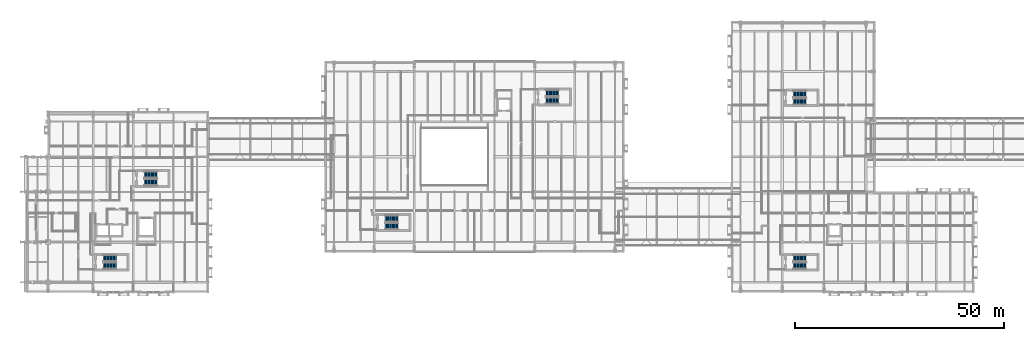
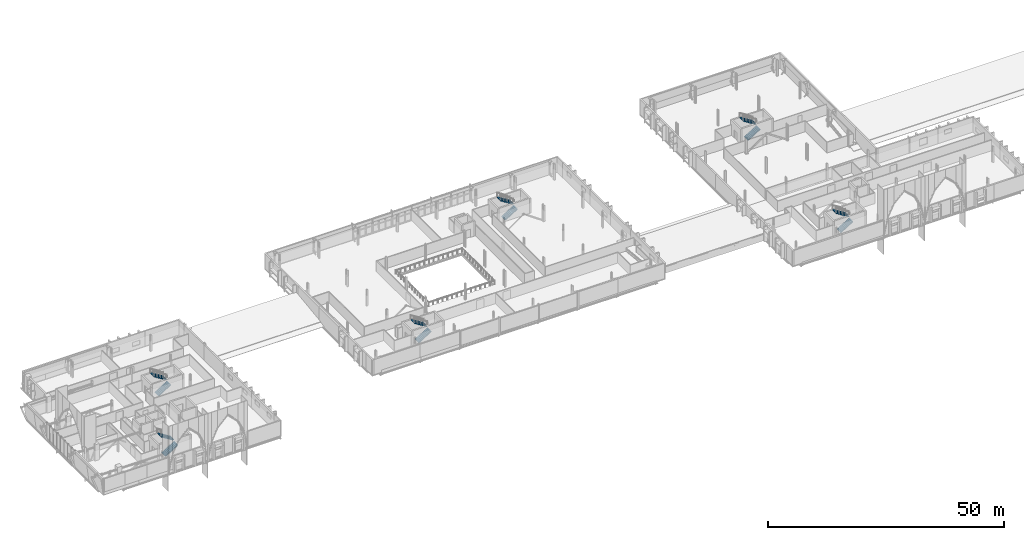
# One storey, part 70 of 90: 12 stair flights, 6 elements without a shape of their own.
"""IFC4 building model written with IfcOpenShell, lengths in metres."""

from ifc_helpers import new_model, si_unit, direction, frame, origin, place, context, subcontext, project, spatial, polyline, outline, extrude, material, type_object, element, aggregate, save


model = new_model("IFC4")

# Units and contexts
model_context = context("Model", 3, precision=1e-05, world=origin(), true_north=direction((0.0, 1.0)))
body_context = subcontext(model_context, "Body", "Model", "MODEL_VIEW")
ifc_project = project(units=[si_unit("LENGTHUNIT", "METRE"), si_unit("AREAUNIT", "SQUARE_METRE"), si_unit("VOLUMEUNIT", "CUBIC_METRE"), si_unit("PLANEANGLEUNIT", "RADIAN"), si_unit("MASSUNIT", "GRAM", prefix="KILO")], contexts=[model_context])

# Site, building, storey
site_placement = place(None, origin())
site = spatial("IfcSite", under=ifc_project, at=site_placement, CompositionType="ELEMENT")
building_placement = place(site_placement, origin())
building = spatial("IfcBuilding", under=site, at=building_placement, Name="Zereglee Splitstone Museum", CompositionType="ELEMENT")
storey_placement = place(building_placement, frame((0.0, 0.0, 4.800048828125)))
storey = spatial("IfcBuildingStorey", under=building, at=storey_placement, Name="L01", CompositionType="ELEMENT", Elevation=4.800048828125)

# Stair, stair flights
ifc_material = material(Name="Concrete C35/45", Category="concrete")
stair_type_1 = type_object("IfcStairType", Name="ST-01B", PredefinedType="HALF_TURN_STAIR", material=ifc_material)
stair_1_placement = place(storey_placement, origin())
stair_1 = element("IfcStair", 1, at=stair_1_placement, inside=storey, type_object=stair_type_1, Name="L01 Protected Exit Stair ST-01 B", PredefinedType="HALF_TURN_STAIR")
stair_flight_type_1 = type_object("IfcStairFlightType", Name="ST-01B", PredefinedType="STRAIGHT", material=ifc_material)
stair_flight_1_placement = place(storey_placement, frame((22.85009765625, 3.89990234375, 0.0), z_axis=(0.0, 0.0, 1.0), x_axis=(1.0, 0.0, 0.0)))
stair_flight_1 = element("IfcStairFlight", 2, at=stair_flight_1_placement, type_object=stair_flight_type_1, Name="ST-01B flight 1", NumberOfRisers=12, NumberOfTreads=11, PredefinedType="STRAIGHT", RiserHeight=0.175, TreadLength=0.28, context=body_context, shape_type="SweptSolid", body=[
    extrude(outline(polyline([(0.0, 0.0), (0.0, 0.175048828125), (0.280029296875, 0.175048828125), (0.280029296875, 0.35009765625), (0.56005859375, 0.35009765625), (0.56005859375, 0.52490234375), (0.840087890625, 0.52490234375), (0.840087890625, 0.699951171875), (1.1201171875, 0.699951171875), (1.1201171875, 0.875), (1.39990234375, 0.875), (1.39990234375, 1.050048828125), (1.679931640625, 1.050048828125), (1.679931640625, 1.22509765625), (1.9599609375, 1.22509765625), (1.9599609375, 1.39990234375), (2.239990234375, 1.39990234375), (2.239990234375, 1.574951171875), (2.52001953125, 1.574951171875), (2.52001953125, 1.75), (2.800048828125, 1.75), (2.800048828125, 1.925048828125), (3.080078125, 1.925048828125), (3.080078125, 2.10009765625), (3.080078125, 1.736328125), (0.3017578125, 0.0), (0.0, 0.0)])), frame((0.0, 0.800048828125, 0.0), z_axis=(0.0, -1.0, 0.0), x_axis=(1.0, 0.0, 0.0)), (0.0, 0.0, 1.0), 1.60009765625),
])
stair_flight_2_placement = place(storey_placement, frame((25.929931640625, 5.699951171875, 2.099853515625), z_axis=(0.0, 0.0, 1.0), x_axis=(-1.0, 0.0, 0.0)))
stair_flight_2 = element("IfcStairFlight", 3, at=stair_flight_2_placement, type_object=stair_flight_type_1, Name="ST-01B flight 2", NumberOfRisers=12, NumberOfTreads=11, PredefinedType="STRAIGHT", RiserHeight=0.175, TreadLength=0.28, context=body_context, shape_type="SweptSolid", body=[
    extrude(outline(polyline([(0.0, 0.0), (0.0, 0.175048828125), (0.280029296875, 0.175048828125), (0.280029296875, 0.35009765625), (0.56005859375, 0.35009765625), (0.56005859375, 0.52490234375), (0.840087890625, 0.52490234375), (0.840087890625, 0.699951171875), (1.1201171875, 0.699951171875), (1.1201171875, 0.875), (1.39990234375, 0.875), (1.39990234375, 1.050048828125), (1.679931640625, 1.050048828125), (1.679931640625, 1.22509765625), (1.9599609375, 1.22509765625), (1.9599609375, 1.39990234375), (2.239990234375, 1.39990234375), (2.239990234375, 1.574951171875), (2.52001953125, 1.574951171875), (2.52001953125, 1.75), (2.800048828125, 1.75), (2.800048828125, 1.925048828125), (3.080078125, 1.925048828125), (3.080078125, 2.10009765625), (3.080078125, 1.736328125), (0.3017578125, 0.0), (0.0, 0.0)])), frame((0.0, 0.800048828125, 0.0), z_axis=(0.0, -1.0, 0.0), x_axis=(1.0, 0.0, 0.0)), (0.0, 0.0, 1.0), 1.60009765625),
])
aggregate(stair_1, [stair_flight_1, stair_flight_2])

stair_type_2 = type_object("IfcStairType", Name="ST-02B", PredefinedType="HALF_TURN_STAIR", material=ifc_material)
stair_2_placement = place(storey_placement, origin())
stair_2 = element("IfcStair", 4, at=stair_2_placement, inside=storey, type_object=stair_type_2, Name="L01 Protected Exit Stair ST-02 B", PredefinedType="HALF_TURN_STAIR")
stair_flight_type_2 = type_object("IfcStairFlightType", Name="ST-02B", PredefinedType="STRAIGHT", material=ifc_material)
stair_flight_3_placement = place(storey_placement, frame((32.64990234375, 23.89990234375, 0.0), z_axis=(0.0, 0.0, 1.0), x_axis=(1.0, 0.0, 0.0)))
stair_flight_3 = element("IfcStairFlight", 5, at=stair_flight_3_placement, type_object=stair_flight_type_2, Name="ST-02B flight 1", NumberOfRisers=12, NumberOfTreads=11, PredefinedType="STRAIGHT", RiserHeight=0.175, TreadLength=0.28, context=body_context, shape_type="SweptSolid", body=[
    extrude(outline(polyline([(0.0, 0.0), (0.0, 0.175048828125), (0.280029296875, 0.175048828125), (0.280029296875, 0.35009765625), (0.56005859375, 0.35009765625), (0.56005859375, 0.52490234375), (0.840087890625, 0.52490234375), (0.840087890625, 0.699951171875), (1.1201171875, 0.699951171875), (1.1201171875, 0.875), (1.39990234375, 0.875), (1.39990234375, 1.050048828125), (1.679931640625, 1.050048828125), (1.679931640625, 1.22509765625), (1.9599609375, 1.22509765625), (1.9599609375, 1.39990234375), (2.239990234375, 1.39990234375), (2.239990234375, 1.574951171875), (2.52001953125, 1.574951171875), (2.52001953125, 1.75), (2.800048828125, 1.75), (2.800048828125, 1.925048828125), (3.080078125, 1.925048828125), (3.080078125, 2.10009765625), (3.080078125, 1.736328125), (0.3017578125, 0.0), (0.0, 0.0)])), frame((0.0, 0.800048828125, 0.0), z_axis=(0.0, -1.0, 0.0), x_axis=(1.0, 0.0, 0.0)), (0.0, 0.0, 1.0), 1.60009765625),
])
stair_flight_4_placement = place(storey_placement, frame((35.72998046875, 25.699951171875, 2.099853515625), z_axis=(0.0, 0.0, 1.0), x_axis=(-1.0, 0.0, 0.0)))
stair_flight_4 = element("IfcStairFlight", 6, at=stair_flight_4_placement, type_object=stair_flight_type_2, Name="ST-02B flight 2", NumberOfRisers=12, NumberOfTreads=11, PredefinedType="STRAIGHT", RiserHeight=0.175, TreadLength=0.28, context=body_context, shape_type="SweptSolid", body=[
    extrude(outline(polyline([(0.0, 0.0), (0.0, 0.175048828125), (0.280029296875, 0.175048828125), (0.280029296875, 0.35009765625), (0.56005859375, 0.35009765625), (0.56005859375, 0.52490234375), (0.840087890625, 0.52490234375), (0.840087890625, 0.699951171875), (1.1201171875, 0.699951171875), (1.1201171875, 0.875), (1.39990234375, 0.875), (1.39990234375, 1.050048828125), (1.679931640625, 1.050048828125), (1.679931640625, 1.22509765625), (1.9599609375, 1.22509765625), (1.9599609375, 1.39990234375), (2.239990234375, 1.39990234375), (2.239990234375, 1.574951171875), (2.52001953125, 1.574951171875), (2.52001953125, 1.75), (2.800048828125, 1.75), (2.800048828125, 1.925048828125), (3.080078125, 1.925048828125), (3.080078125, 2.10009765625), (3.080078125, 1.736328125), (0.3017578125, 0.0), (0.0, 0.0)])), frame((0.0, 0.800048828125, 0.0), z_axis=(0.0, -1.0, 0.0), x_axis=(1.0, 0.0, 0.0)), (0.0, 0.0, 1.0), 1.60009765625),
])
aggregate(stair_2, [stair_flight_3, stair_flight_4])

stair_type_3 = type_object("IfcStairType", Name="ST-03B", PredefinedType="HALF_TURN_STAIR", material=ifc_material)
stair_3_placement = place(storey_placement, origin())
stair_3 = element("IfcStair", 7, at=stair_3_placement, inside=storey, type_object=stair_type_3, Name="L01 Protected Exit Stair ST-03 B", PredefinedType="HALF_TURN_STAIR")
stair_flight_type_3 = type_object("IfcStairFlightType", Name="ST-03B", PredefinedType="STRAIGHT", material=ifc_material)
stair_flight_5_placement = place(storey_placement, frame((128.64990234375, 43.39990234375, 0.0), z_axis=(0.0, 0.0, 1.0), x_axis=(1.0, 0.0, 0.0)))
stair_flight_5 = element("IfcStairFlight", 8, at=stair_flight_5_placement, type_object=stair_flight_type_3, Name="ST-03B flight 1", NumberOfRisers=12, NumberOfTreads=11, PredefinedType="STRAIGHT", RiserHeight=0.175, TreadLength=0.28, context=body_context, shape_type="SweptSolid", body=[
    extrude(outline(polyline([(0.0, 0.0), (0.0, 0.175048828125), (0.280029296875, 0.175048828125), (0.280029296875, 0.35009765625), (0.56005859375, 0.35009765625), (0.56005859375, 0.52490234375), (0.840087890625, 0.52490234375), (0.840087890625, 0.699951171875), (1.1201171875, 0.699951171875), (1.1201171875, 0.875), (1.39990234375, 0.875), (1.39990234375, 1.050048828125), (1.679931640625, 1.050048828125), (1.679931640625, 1.22509765625), (1.9599609375, 1.22509765625), (1.9599609375, 1.39990234375), (2.239990234375, 1.39990234375), (2.239990234375, 1.574951171875), (2.52001953125, 1.574951171875), (2.52001953125, 1.75), (2.800048828125, 1.75), (2.800048828125, 1.925048828125), (3.080078125, 1.925048828125), (3.080078125, 2.10009765625), (3.080078125, 1.736328125), (0.3017578125, 0.0), (0.0, 0.0)])), frame((0.0, 0.800048828125, 0.0), z_axis=(0.0, -1.0, 0.0), x_axis=(1.0, 0.0, 0.0)), (0.0, 0.0, 1.0), 1.60009765625),
])
stair_flight_6_placement = place(storey_placement, frame((131.72998046875, 45.199951171875, 2.099853515625), z_axis=(0.0, 0.0, 1.0), x_axis=(-1.0, 0.0, 0.0)))
stair_flight_6 = element("IfcStairFlight", 9, at=stair_flight_6_placement, type_object=stair_flight_type_3, Name="ST-03B flight 2", NumberOfRisers=12, NumberOfTreads=11, PredefinedType="STRAIGHT", RiserHeight=0.175, TreadLength=0.28, context=body_context, shape_type="SweptSolid", body=[
    extrude(outline(polyline([(0.0, 0.0), (0.0, 0.175048828125), (0.280029296875, 0.175048828125), (0.280029296875, 0.35009765625), (0.56005859375, 0.35009765625), (0.56005859375, 0.52490234375), (0.840087890625, 0.52490234375), (0.840087890625, 0.699951171875), (1.1201171875, 0.699951171875), (1.1201171875, 0.875), (1.39990234375, 0.875), (1.39990234375, 1.050048828125), (1.679931640625, 1.050048828125), (1.679931640625, 1.22509765625), (1.9599609375, 1.22509765625), (1.9599609375, 1.39990234375), (2.239990234375, 1.39990234375), (2.239990234375, 1.574951171875), (2.52001953125, 1.574951171875), (2.52001953125, 1.75), (2.800048828125, 1.75), (2.800048828125, 1.925048828125), (3.080078125, 1.925048828125), (3.080078125, 2.10009765625), (3.080078125, 1.736328125), (0.3017578125, 0.0), (0.0, 0.0)])), frame((0.0, 0.800048828125, 0.0), z_axis=(0.0, -1.0, 0.0), x_axis=(1.0, 0.0, 0.0)), (0.0, 0.0, 1.0), 1.60009765625),
])
aggregate(stair_3, [stair_flight_5, stair_flight_6])

stair_type_4 = type_object("IfcStairType", Name="ST-04B", PredefinedType="HALF_TURN_STAIR", material=ifc_material)
stair_4_placement = place(storey_placement, origin())
stair_4 = element("IfcStair", 10, at=stair_4_placement, inside=storey, type_object=stair_type_4, Name="L01 Protected Exit Stair ST-04 B", PredefinedType="HALF_TURN_STAIR")
stair_flight_type_4 = type_object("IfcStairFlightType", Name="ST-04B", PredefinedType="STRAIGHT", material=ifc_material)
stair_flight_7_placement = place(storey_placement, frame((187.85009765625, 3.89990234375, 0.0), z_axis=(0.0, 0.0, 1.0), x_axis=(1.0, 0.0, 0.0)))
stair_flight_7 = element("IfcStairFlight", 11, at=stair_flight_7_placement, type_object=stair_flight_type_4, Name="ST-04B flight 1", NumberOfRisers=12, NumberOfTreads=11, PredefinedType="STRAIGHT", RiserHeight=0.175, TreadLength=0.28, context=body_context, shape_type="SweptSolid", body=[
    extrude(outline(polyline([(0.0, 0.0), (0.0, 0.175048828125), (0.280029296875, 0.175048828125), (0.280029296875, 0.35009765625), (0.56005859375, 0.35009765625), (0.56005859375, 0.52490234375), (0.840087890625, 0.52490234375), (0.840087890625, 0.699951171875), (1.1201171875, 0.699951171875), (1.1201171875, 0.875), (1.39990234375, 0.875), (1.39990234375, 1.050048828125), (1.679931640625, 1.050048828125), (1.679931640625, 1.22509765625), (1.9599609375, 1.22509765625), (1.9599609375, 1.39990234375), (2.239990234375, 1.39990234375), (2.239990234375, 1.574951171875), (2.52001953125, 1.574951171875), (2.52001953125, 1.75), (2.800048828125, 1.75), (2.800048828125, 1.925048828125), (3.080078125, 1.925048828125), (3.080078125, 2.10009765625), (3.080078125, 1.736328125), (0.3017578125, 0.0), (0.0, 0.0)])), frame((0.0, 0.800048828125, 0.0), z_axis=(0.0, -1.0, 0.0), x_axis=(1.0, 0.0, 0.0)), (0.0, 0.0, 1.0), 1.60009765625),
])
stair_flight_8_placement = place(storey_placement, frame((190.929931640625, 5.699951171875, 2.099853515625), z_axis=(0.0, 0.0, 1.0), x_axis=(-1.0, 0.0, 0.0)))
stair_flight_8 = element("IfcStairFlight", 12, at=stair_flight_8_placement, type_object=stair_flight_type_4, Name="ST-04B flight 2", NumberOfRisers=12, NumberOfTreads=11, PredefinedType="STRAIGHT", RiserHeight=0.175, TreadLength=0.28, context=body_context, shape_type="SweptSolid", body=[
    extrude(outline(polyline([(0.0, 0.0), (0.0, 0.175048828125), (0.280029296875, 0.175048828125), (0.280029296875, 0.35009765625), (0.56005859375, 0.35009765625), (0.56005859375, 0.52490234375), (0.840087890625, 0.52490234375), (0.840087890625, 0.699951171875), (1.1201171875, 0.699951171875), (1.1201171875, 0.875), (1.39990234375, 0.875), (1.39990234375, 1.050048828125), (1.679931640625, 1.050048828125), (1.679931640625, 1.22509765625), (1.9599609375, 1.22509765625), (1.9599609375, 1.39990234375), (2.239990234375, 1.39990234375), (2.239990234375, 1.574951171875), (2.52001953125, 1.574951171875), (2.52001953125, 1.75), (2.800048828125, 1.75), (2.800048828125, 1.925048828125), (3.080078125, 1.925048828125), (3.080078125, 2.10009765625), (3.080078125, 1.736328125), (0.3017578125, 0.0), (0.0, 0.0)])), frame((0.0, 0.800048828125, 0.0), z_axis=(0.0, -1.0, 0.0), x_axis=(1.0, 0.0, 0.0)), (0.0, 0.0, 1.0), 1.60009765625),
])
aggregate(stair_4, [stair_flight_7, stair_flight_8])

stair_type_5 = type_object("IfcStairType", Name="ST-06B", PredefinedType="HALF_TURN_STAIR", material=ifc_material)
stair_5_placement = place(storey_placement, origin())
stair_5 = element("IfcStair", 13, at=stair_5_placement, inside=storey, type_object=stair_type_5, Name="L01 Protected Exit Stair ST-06 B", PredefinedType="HALF_TURN_STAIR")
stair_flight_type_5 = type_object("IfcStairFlightType", Name="ST-06B", PredefinedType="STRAIGHT", material=ifc_material)
stair_flight_9_placement = place(storey_placement, frame((90.25, 13.39990234375, 0.0), z_axis=(0.0, 0.0, 1.0), x_axis=(1.0, 0.0, 0.0)))
stair_flight_9 = element("IfcStairFlight", 14, at=stair_flight_9_placement, type_object=stair_flight_type_5, Name="ST-06B flight 1", NumberOfRisers=12, NumberOfTreads=11, PredefinedType="STRAIGHT", RiserHeight=0.175, TreadLength=0.28, context=body_context, shape_type="SweptSolid", body=[
    extrude(outline(polyline([(0.0, 0.0), (0.0, 0.175048828125), (0.280029296875, 0.175048828125), (0.280029296875, 0.35009765625), (0.56005859375, 0.35009765625), (0.56005859375, 0.52490234375), (0.840087890625, 0.52490234375), (0.840087890625, 0.699951171875), (1.1201171875, 0.699951171875), (1.1201171875, 0.875), (1.39990234375, 0.875), (1.39990234375, 1.050048828125), (1.679931640625, 1.050048828125), (1.679931640625, 1.22509765625), (1.9599609375, 1.22509765625), (1.9599609375, 1.39990234375), (2.239990234375, 1.39990234375), (2.239990234375, 1.574951171875), (2.52001953125, 1.574951171875), (2.52001953125, 1.75), (2.800048828125, 1.75), (2.800048828125, 1.925048828125), (3.080078125, 1.925048828125), (3.080078125, 2.10009765625), (3.080078125, 1.736328125), (0.3017578125, 0.0), (0.0, 0.0)])), frame((0.0, 0.800048828125, 0.0), z_axis=(0.0, -1.0, 0.0), x_axis=(1.0, 0.0, 0.0)), (0.0, 0.0, 1.0), 1.60009765625),
])
stair_flight_10_placement = place(storey_placement, frame((93.330078125, 15.199951171875, 2.099853515625), z_axis=(0.0, 0.0, 1.0), x_axis=(-1.0, 0.0, 0.0)))
stair_flight_10 = element("IfcStairFlight", 15, at=stair_flight_10_placement, type_object=stair_flight_type_5, Name="ST-06B flight 2", NumberOfRisers=12, NumberOfTreads=11, PredefinedType="STRAIGHT", RiserHeight=0.175, TreadLength=0.28, context=body_context, shape_type="SweptSolid", body=[
    extrude(outline(polyline([(0.0, 0.0), (0.0, 0.175048828125), (0.280029296875, 0.175048828125), (0.280029296875, 0.35009765625), (0.56005859375, 0.35009765625), (0.56005859375, 0.52490234375), (0.840087890625, 0.52490234375), (0.840087890625, 0.699951171875), (1.1201171875, 0.699951171875), (1.1201171875, 0.875), (1.39990234375, 0.875), (1.39990234375, 1.050048828125), (1.679931640625, 1.050048828125), (1.679931640625, 1.22509765625), (1.9599609375, 1.22509765625), (1.9599609375, 1.39990234375), (2.239990234375, 1.39990234375), (2.239990234375, 1.574951171875), (2.52001953125, 1.574951171875), (2.52001953125, 1.75), (2.800048828125, 1.75), (2.800048828125, 1.925048828125), (3.080078125, 1.925048828125), (3.080078125, 2.10009765625), (3.080078125, 1.736328125), (0.3017578125, 0.0), (0.0, 0.0)])), frame((0.0, 0.800048828125, 0.0), z_axis=(0.0, -1.0, 0.0), x_axis=(1.0, 0.0, 0.0)), (0.0, 0.0, 1.0), 1.60009765625),
])
aggregate(stair_5, [stair_flight_9, stair_flight_10])

stair_type_6 = type_object("IfcStairType", Name="ST-07B", PredefinedType="HALF_TURN_STAIR", material=ifc_material)
stair_6_placement = place(storey_placement, origin())
stair_6 = element("IfcStair", 16, at=stair_6_placement, inside=storey, type_object=stair_type_6, Name="L01 Protected Exit Stair ST-07 B", PredefinedType="HALF_TURN_STAIR")
stair_flight_type_6 = type_object("IfcStairFlightType", Name="ST-07B", PredefinedType="STRAIGHT", material=ifc_material)
stair_flight_11_placement = place(storey_placement, frame((187.85009765625, 43.199951171875, 0.0), z_axis=(0.0, 0.0, 1.0), x_axis=(1.0, 0.0, 0.0)))
stair_flight_11 = element("IfcStairFlight", 17, at=stair_flight_11_placement, type_object=stair_flight_type_6, Name="ST-07B flight 1", NumberOfRisers=12, NumberOfTreads=11, PredefinedType="STRAIGHT", RiserHeight=0.175, TreadLength=0.28, context=body_context, shape_type="SweptSolid", body=[
    extrude(outline(polyline([(0.0, 0.0), (0.0, 0.175048828125), (0.280029296875, 0.175048828125), (0.280029296875, 0.35009765625), (0.56005859375, 0.35009765625), (0.56005859375, 0.52490234375), (0.840087890625, 0.52490234375), (0.840087890625, 0.699951171875), (1.1201171875, 0.699951171875), (1.1201171875, 0.875), (1.39990234375, 0.875), (1.39990234375, 1.050048828125), (1.679931640625, 1.050048828125), (1.679931640625, 1.22509765625), (1.9599609375, 1.22509765625), (1.9599609375, 1.39990234375), (2.239990234375, 1.39990234375), (2.239990234375, 1.574951171875), (2.52001953125, 1.574951171875), (2.52001953125, 1.75), (2.800048828125, 1.75), (2.800048828125, 1.925048828125), (3.080078125, 1.925048828125), (3.080078125, 2.10009765625), (3.080078125, 1.736328125), (0.3017578125, 0.0), (0.0, 0.0)])), frame((0.0, 0.800048828125, 0.0), z_axis=(0.0, -1.0, 0.0), x_axis=(1.0, 0.0, 0.0)), (0.0, 0.0, 1.0), 1.60009765625),
])
stair_flight_12_placement = place(storey_placement, frame((190.929931640625, 45.0, 2.099853515625), z_axis=(0.0, 0.0, 1.0), x_axis=(-1.0, 0.0, 0.0)))
stair_flight_12 = element("IfcStairFlight", 18, at=stair_flight_12_placement, type_object=stair_flight_type_6, Name="ST-07B flight 2", NumberOfRisers=12, NumberOfTreads=11, PredefinedType="STRAIGHT", RiserHeight=0.175, TreadLength=0.28, context=body_context, shape_type="SweptSolid", body=[
    extrude(outline(polyline([(0.0, 0.0), (0.0, 0.175048828125), (0.280029296875, 0.175048828125), (0.280029296875, 0.35009765625), (0.56005859375, 0.35009765625), (0.56005859375, 0.52490234375), (0.840087890625, 0.52490234375), (0.840087890625, 0.699951171875), (1.1201171875, 0.699951171875), (1.1201171875, 0.875), (1.39990234375, 0.875), (1.39990234375, 1.050048828125), (1.679931640625, 1.050048828125), (1.679931640625, 1.22509765625), (1.9599609375, 1.22509765625), (1.9599609375, 1.39990234375), (2.239990234375, 1.39990234375), (2.239990234375, 1.574951171875), (2.52001953125, 1.574951171875), (2.52001953125, 1.75), (2.800048828125, 1.75), (2.800048828125, 1.925048828125), (3.080078125, 1.925048828125), (3.080078125, 2.10009765625), (3.080078125, 1.736328125), (0.3017578125, 0.0), (0.0, 0.0)])), frame((0.0, 0.800048828125, 0.0), z_axis=(0.0, -1.0, 0.0), x_axis=(1.0, 0.0, 0.0)), (0.0, 0.0, 1.0), 1.60009765625),
])
aggregate(stair_6, [stair_flight_11, stair_flight_12])

save(model, "model.ifc")
